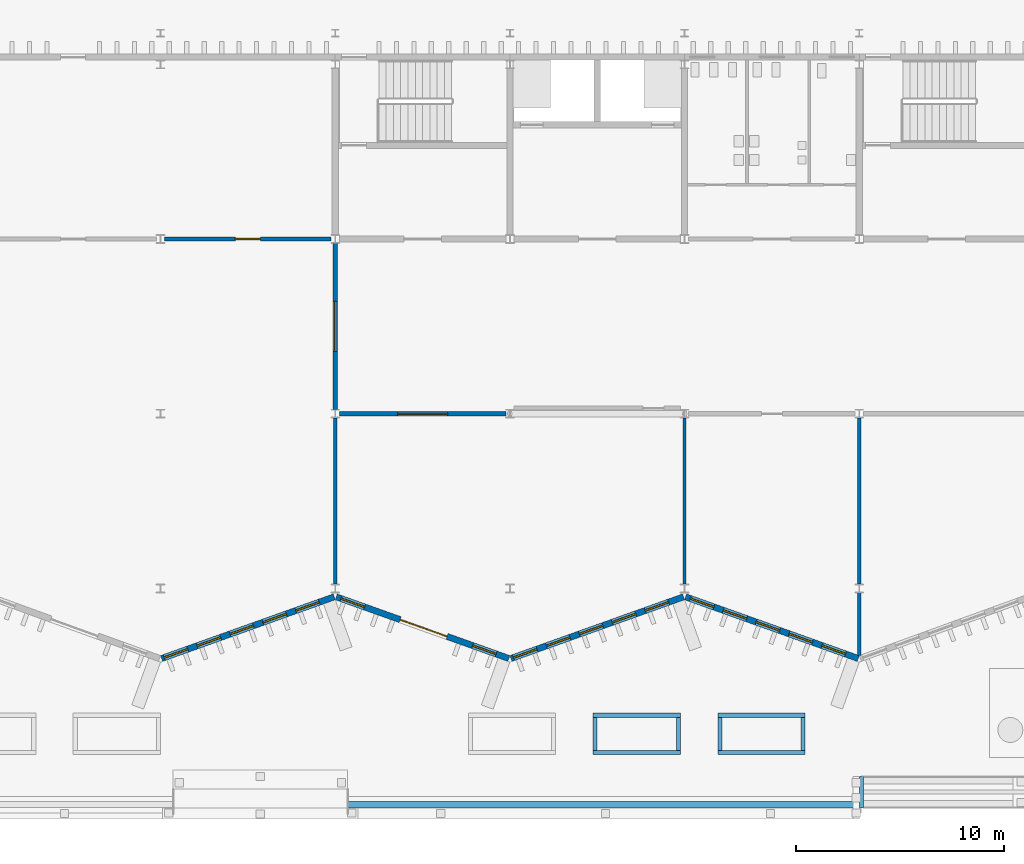
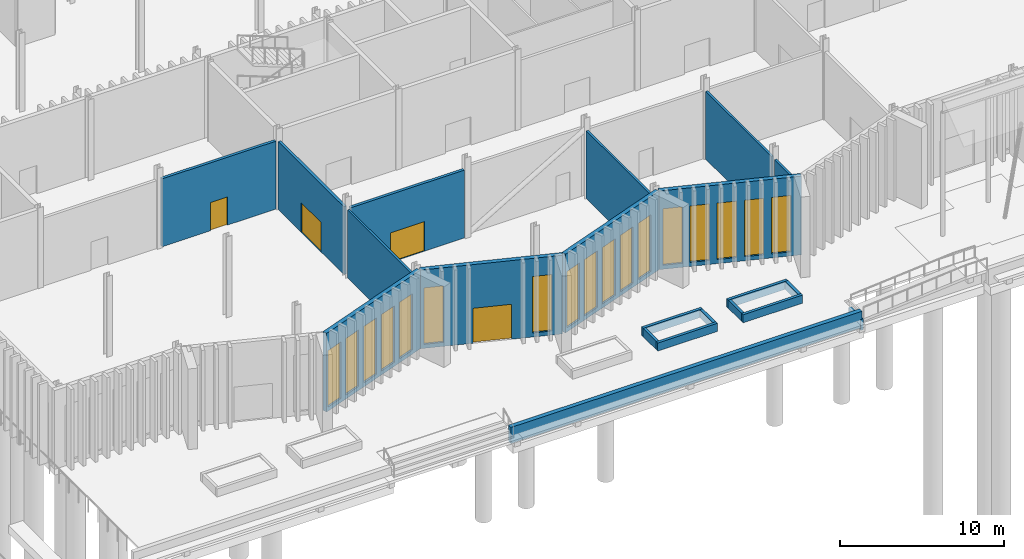
# One storey, part 54 of 108: 21 walls, 17 windows, 4 doors, 21 openings.
"""IFC4 building model written with IfcOpenShell, lengths in metres."""

import ifcopenshell
import ifcopenshell.guid

model = None  # the IFC model being written
_history = None  # IfcOwnerHistory: only IFC2X3 demands one
_inside = {}  # id of a spatial element -> (the spatial element, [elements in it])
_under = {}  # id of a project, library or spatial element -> (it, [spatial elements below it])
_declared = {}  # id of a project -> (the project, [libraries it declares])
_typed = {}  # id of a type object -> (the type object, [elements of that type])
_made_of = {}  # id of a material, layer set ... -> (it, [elements and type objects made of it])


def new_model(schema):
    """Start an empty IFC model of exactly this schema.

    Asked for "IFC4X3", IfcOpenShell would pick the latest addendum, in which some entities
    have other attributes; the version numbers below select the first issue.
    IFC2X3 requires an IfcOwnerHistory on every rooted entity: one is made here for all.
    """
    global model, _history
    if schema == "IFC4X3":
        model = ifcopenshell.file(schema_version=(4, 3, 0, 0))
    else:
        model = ifcopenshell.file(schema=schema)
    _inside.clear()
    _under.clear()
    _declared.clear()
    _typed.clear()
    _made_of.clear()
    _history = None
    if model.schema == "IFC2X3":
        org = make("IfcOrganization", Name="unknown")
        user = make(
            "IfcPersonAndOrganization",
            ThePerson=make("IfcPerson", FamilyName="unknown"),
            TheOrganization=org,
        )
        app = make(
            "IfcApplication",
            ApplicationDeveloper=org,
            Version="unknown",
            ApplicationFullName="unknown",
            ApplicationIdentifier="unknown",
        )
        _history = make(
            "IfcOwnerHistory",
            OwningUser=user,
            OwningApplication=app,
            ChangeAction="ADDED",
            CreationDate=0,
        )
    return model


def make(cls, **values):
    """One entity of the class cls with the attributes given. An attribute that is None is left unset."""
    return model.create_entity(
        cls, **{name: value for name, value in values.items() if value is not None}
    )


def rooted(cls, **values):
    """An entity with a GlobalId (a new one), such as an element, a storey or a relation."""
    return make(cls, GlobalId=ifcopenshell.guid.new(), OwnerHistory=_history, **values)


def si_unit(unit_type, name, prefix=None):
    """IfcSIUnit, for example si_unit("LENGTHUNIT", "METRE", prefix="MILLI")."""
    return make("IfcSIUnit", UnitType=unit_type, Prefix=prefix, Name=name)


def assignment(units):
    """IfcUnitAssignment: the units of a project."""
    return None if units is None else make("IfcUnitAssignment", Units=units)


def point(xyz):
    """IfcCartesianPoint."""
    return None if xyz is None else make("IfcCartesianPoint", Coordinates=xyz)


def direction(xyz):
    """IfcDirection."""
    return None if xyz is None else make("IfcDirection", DirectionRatios=xyz)


def frame(location, z_axis=None, x_axis=None):
    """IfcAxis2Placement3D, a coordinate frame: its origin and axes. An axis left out is left unset."""
    return make(
        "IfcAxis2Placement3D",
        Location=point(location),
        Axis=direction(z_axis),
        RefDirection=direction(x_axis),
    )


def frame_2d(location, x_axis=None):
    """IfcAxis2Placement2D, a coordinate frame in the plane: its origin and x axis."""
    return make(
        "IfcAxis2Placement2D", Location=point(location), RefDirection=direction(x_axis)
    )


def origin():
    """The frame at (0, 0, 0) with its axes left unset."""
    return frame((0.0, 0.0, 0.0))


def place(relative_to, where):
    """IfcLocalPlacement: puts the frame where relative to a parent placement (None: the world)."""
    return make(
        "IfcLocalPlacement", PlacementRelTo=relative_to, RelativePlacement=where
    )


def context(
    kind, dimensions, precision=None, world=None, true_north=None, identifier=None
):
    """IfcGeometricRepresentationContext, for example the 3D "Model" context."""
    return make(
        "IfcGeometricRepresentationContext",
        ContextIdentifier=identifier,
        ContextType=kind,
        CoordinateSpaceDimension=dimensions,
        Precision=precision,
        WorldCoordinateSystem=world,
        TrueNorth=true_north,
    )


def subcontext(parent, identifier, kind, view, scale=None):
    """IfcGeometricRepresentationSubContext, for example "Body" below "Model"."""
    return make(
        "IfcGeometricRepresentationSubContext",
        ContextIdentifier=identifier,
        ContextType=kind,
        ParentContext=parent,
        TargetScale=scale,
        TargetView=view,
    )


def project(units=None, contexts=None):
    """IfcProject with its units and contexts."""
    return rooted(
        "IfcProject",
        Name="project",
        RepresentationContexts=contexts,
        UnitsInContext=assignment(units),
    )


def spatial(cls, under=None, at=None, **own):
    """A site, building, storey or space (cls), placed at a placement, below another one or the project."""
    s = rooted(cls, ObjectPlacement=at, **own)
    if under is not None:
        _under.setdefault(under.id(), (under, []))[1].append(s)
    return s


def profile(cls, at=None, kind="AREA", **sizes):
    """A parametric profile (cls). Its sizes go by their IFC names, for example OverallWidth=200.0."""
    return make(cls, ProfileType=kind, Position=at, **sizes)


def rectangle(**sizes):
    """IfcRectangleProfileDef."""
    return profile("IfcRectangleProfileDef", **sizes)


def extrude(swept, where, along, depth):
    """IfcExtrudedAreaSolid: the profile swept, set in the frame where, extruded along a direction by depth."""
    return make(
        "IfcExtrudedAreaSolid",
        SweptArea=swept,
        Position=where,
        ExtrudedDirection=direction(along),
        Depth=depth,
    )


def shape(context_of_items, identifier, shape_type, items):
    """IfcShapeRepresentation: the items that make up one representation, for example the "Body"."""
    return make(
        "IfcShapeRepresentation",
        ContextOfItems=context_of_items,
        RepresentationIdentifier=identifier,
        RepresentationType=shape_type,
        Items=items,
    )


def material(Name=None, Category=None):
    """IfcMaterial."""
    return make("IfcMaterial", Name=Name, Category=Category)


def layer(
    of_material, thickness, ventilated=None, Name=None, Category=None, Priority=None
):
    """IfcMaterialLayer: one layer of a wall or slab, of a material (None: an air gap)."""
    return make(
        "IfcMaterialLayer",
        Material=of_material,
        LayerThickness=thickness,
        IsVentilated=ventilated,
        Name=Name,
        Category=Category,
        Priority=Priority,
    )


def layer_set(layers, Name=None):
    """IfcMaterialLayerSet."""
    return make("IfcMaterialLayerSet", MaterialLayers=layers, LayerSetName=Name)


def made_of(thing, what):
    """Note that an element or type object is made of a material, layer set ...; save() writes the relation."""
    if what is not None:
        _made_of.setdefault(what.id(), (what, []))[1].append(thing)
    return thing


def type_object(cls, material=None, **own):
    """A type object (cls), such as IfcWallType, which elements share."""
    return made_of(rooted(cls, **own), material)


def element(
    cls,
    number,
    at=None,
    inside=None,
    cuts=None,
    type_object=None,
    material=None,
    context=None,
    identifier="Body",
    shape_type=None,
    held_by="IfcProductDefinitionShape",
    body=None,
    shapes=None,
    **own,
):
    """One element of the class cls, such as IfcWall. Its Tag is "e" and its number.

    at: its placement. inside: the storey or other place that contains it. cuts: it is an
    opening in that element (IfcRelVoidsElement). A single representation is given by context,
    identifier, shape_type and body (its items); several are given by shapes. held_by: the class
    of the entity that holds the representations. save() writes the other relations.
    """
    e = rooted(cls, Tag="e%d" % number, ObjectPlacement=at, **own)
    if body is not None:
        shapes = [shape(context, identifier, shape_type, body)]
    if shapes is not None:
        e.Representation = make(held_by, Representations=shapes)
    if inside is not None:
        _inside.setdefault(inside.id(), (inside, []))[1].append(e)
    if cuts is not None:
        rooted(
            "IfcRelVoidsElement", RelatingBuildingElement=cuts, RelatedOpeningElement=e
        )
    if type_object is not None:
        _typed.setdefault(type_object.id(), (type_object, []))[1].append(e)
    return made_of(e, material)


def fill(opening, filler):
    """IfcRelFillsElement: the door or window that sits in an opening."""
    return rooted(
        "IfcRelFillsElement",
        RelatingOpeningElement=opening,
        RelatedBuildingElement=filler,
    )


def aggregate(whole, parts):
    """IfcRelAggregates: a whole, such as a stair, and the parts it consists of."""
    return rooted("IfcRelAggregates", RelatingObject=whole, RelatedObjects=parts)


def save(model, path):
    """Write the relations noted so far, then the file.

    IfcRelAggregates (storeys below a building ...), IfcRelContainedInSpatialStructure (elements
    in a storey), IfcRelDefinesByType, IfcRelAssociatesMaterial and IfcRelDeclares: one each for
    every whole, place, type object, material and project.
    """
    for whole, parts in _under.values():
        aggregate(whole, parts)
    for where, things in _inside.values():
        rooted(
            "IfcRelContainedInSpatialStructure",
            RelatedElements=things,
            RelatingStructure=where,
        )
    for kind, things in _typed.values():
        rooted("IfcRelDefinesByType", RelatedObjects=things, RelatingType=kind)
    for what, things in _made_of.values():
        rooted("IfcRelAssociatesMaterial", RelatedObjects=things, RelatingMaterial=what)
    for by, libraries in _declared.values():
        rooted("IfcRelDeclares", RelatingContext=by, RelatedDefinitions=libraries)
    model.write(path)


model = new_model("IFC4")

# Units and contexts
model_context = context("Model", 3, precision=1e-05, world=origin(), true_north=direction((0.0, 1.0)))
body_context = subcontext(model_context, "Body", "Model", "MODEL_VIEW")
ifc_project = project(units=[si_unit("LENGTHUNIT", "METRE"), si_unit("AREAUNIT", "SQUARE_METRE"), si_unit("VOLUMEUNIT", "CUBIC_METRE"), si_unit("PLANEANGLEUNIT", "RADIAN"), si_unit("MASSUNIT", "GRAM", prefix="KILO")], contexts=[model_context])

# Site, building, storey
site_placement = place(None, origin())
site = spatial("IfcSite", under=ifc_project, at=site_placement, CompositionType="ELEMENT")
building_placement = place(site_placement, origin())
building = spatial("IfcBuilding", under=site, at=building_placement, Name="Cresset Court Congress Hotel", CompositionType="ELEMENT")
storey_placement = place(building_placement, origin())
storey = spatial("IfcBuildingStorey", under=building, at=storey_placement, Name="L00", CompositionType="ELEMENT", Elevation=0.0)

# Wall, openings, windows
ifc_material_1 = material(Name="Concrete C40", Category="concrete")
ifc_layer_1 = layer(ifc_material_1, 0.300048828125)
ifc_layer_set_1 = layer_set([ifc_layer_1], Name="External wall 300 Concrete C40")
wall_type_1 = type_object("IfcWallType", Name="External wall 300 Concrete C40", PredefinedType="SOLIDWALL", material=ifc_layer_set_1)
wall_1_placement = place(storey_placement, frame((25.251220703125, -3.372314453125, 0.0), z_axis=(0.0, 0.0, 1.0), x_axis=(0.941744418946, 0.336329376334, 0.0)))
wall_1 = element("IfcWall", 1, at=wall_1_placement, inside=storey, type_object=wall_type_1, Name="External wall", PredefinedType="SOLIDWALL", context=body_context, shape_type="SweptSolid", body=[
    extrude(rectangle(XDim=8.811767578125, YDim=0.300048828125, at=frame_2d((4.40576171875, 0.0))), origin(), (0.0, 0.0, 1.0), 5.85009765625),
])
opening_1_placement = place(wall_1_placement, frame((0.132080078125, 0.0, 0.300048828125)))
opening_1 = element("IfcOpeningElement", 2, at=opening_1_placement, cuts=wall_1, Name="Opening NB-00-32", PredefinedType="OPENING", context=body_context, shape_type="SweptSolid", body=[
    extrude(rectangle(XDim=1.199951171875, YDim=4.199951171875, at=frame_2d((0.60009765625, 2.10009765625))), frame((0.0, 0.159912109375, 0.0), z_axis=(0.0, -1.0, 0.0), x_axis=(1.0, 0.0, 0.0)), (0.0, 0.0, 1.0), 0.320068359375),
])
opening_2_placement = place(wall_1_placement, frame((1.81201171875, 0.0, 0.300048828125)))
opening_2 = element("IfcOpeningElement", 3, at=opening_2_placement, cuts=wall_1, Name="Opening NB-00-33", PredefinedType="OPENING", context=body_context, shape_type="SweptSolid", body=[
    extrude(rectangle(XDim=1.199951171875, YDim=4.199951171875, at=frame_2d((0.60009765625, 2.10009765625))), frame((0.0, 0.159912109375, 0.0), z_axis=(0.0, -1.0, 0.0), x_axis=(1.0, 0.0, 0.0)), (0.0, 0.0, 1.0), 0.320068359375),
])
opening_3_placement = place(wall_1_placement, frame((3.491943359375, 0.0, 0.300048828125)))
opening_3 = element("IfcOpeningElement", 4, at=opening_3_placement, cuts=wall_1, Name="Opening NB-00-34", PredefinedType="OPENING", context=body_context, shape_type="SweptSolid", body=[
    extrude(rectangle(XDim=1.199951171875, YDim=4.199951171875, at=frame_2d((0.60009765625, 2.10009765625))), frame((0.0, 0.159912109375, 0.0), z_axis=(0.0, -1.0, 0.0), x_axis=(1.0, 0.0, 0.0)), (0.0, 0.0, 1.0), 0.320068359375),
])
opening_4_placement = place(wall_1_placement, frame((5.172119140625, 0.0, 0.300048828125)))
opening_4 = element("IfcOpeningElement", 5, at=opening_4_placement, cuts=wall_1, Name="Opening NB-00-35", PredefinedType="OPENING", context=body_context, shape_type="SweptSolid", body=[
    extrude(rectangle(XDim=1.199951171875, YDim=4.199951171875, at=frame_2d((0.60009765625, 2.10009765625))), frame((0.0, 0.159912109375, 0.0), z_axis=(0.0, -1.0, 0.0), x_axis=(1.0, 0.0, 0.0)), (0.0, 0.0, 1.0), 0.320068359375),
])
opening_5_placement = place(wall_1_placement, frame((6.85205078125, 0.0, 0.300048828125)))
opening_5 = element("IfcOpeningElement", 6, at=opening_5_placement, cuts=wall_1, Name="Opening NB-00-36", PredefinedType="OPENING", context=body_context, shape_type="SweptSolid", body=[
    extrude(rectangle(XDim=1.199951171875, YDim=4.199951171875, at=frame_2d((0.60009765625, 2.10009765625))), frame((0.0, 0.159912109375, 0.0), z_axis=(0.0, -1.0, 0.0), x_axis=(1.0, 0.0, 0.0)), (0.0, 0.0, 1.0), 0.320068359375),
])
ifc_material_2 = material(Name="Aluminium frame with double glazing", Category="aluminium")
window_type = type_object("IfcWindowType", Name="Window 1200x4200", PartitioningType="TRIPLE_PANEL_VERTICAL", PredefinedType="WINDOW", material=ifc_material_2)
window_1_placement = place(opening_1_placement, origin())
window_1 = element("IfcWindow", 7, at=window_1_placement, inside=storey, type_object=window_type, Name="Window NB-00-32", OverallHeight=4.199951171875, OverallWidth=1.199951171875, PartitioningType="TRIPLE_PANEL_VERTICAL", PredefinedType="WINDOW", context=body_context, shape_type="SweptSolid", body=[
    extrude(rectangle(XDim=1.199951171875, YDim=4.199951171875, at=frame_2d((0.60009765625, 2.10009765625))), frame((0.0, 0.030029296875, 0.0), z_axis=(0.0, -1.0, 0.0), x_axis=(1.0, 0.0, 0.0)), (0.0, 0.0, 1.0), 0.06005859375),
])
fill(opening_1, window_1)
window_2_placement = place(opening_2_placement, origin())
window_2 = element("IfcWindow", 8, at=window_2_placement, inside=storey, type_object=window_type, Name="Window NB-00-33", OverallHeight=4.199951171875, OverallWidth=1.199951171875, PartitioningType="TRIPLE_PANEL_VERTICAL", PredefinedType="WINDOW", context=body_context, shape_type="SweptSolid", body=[
    extrude(rectangle(XDim=1.199951171875, YDim=4.199951171875, at=frame_2d((0.60009765625, 2.10009765625))), frame((0.0, 0.030029296875, 0.0), z_axis=(0.0, -1.0, 0.0), x_axis=(1.0, 0.0, 0.0)), (0.0, 0.0, 1.0), 0.06005859375),
])
fill(opening_2, window_2)
window_3_placement = place(opening_3_placement, origin())
window_3 = element("IfcWindow", 9, at=window_3_placement, inside=storey, type_object=window_type, Name="Window NB-00-34", OverallHeight=4.199951171875, OverallWidth=1.199951171875, PartitioningType="TRIPLE_PANEL_VERTICAL", PredefinedType="WINDOW", context=body_context, shape_type="SweptSolid", body=[
    extrude(rectangle(XDim=1.199951171875, YDim=4.199951171875, at=frame_2d((0.60009765625, 2.10009765625))), frame((0.0, 0.030029296875, 0.0), z_axis=(0.0, -1.0, 0.0), x_axis=(1.0, 0.0, 0.0)), (0.0, 0.0, 1.0), 0.06005859375),
])
fill(opening_3, window_3)
window_4_placement = place(opening_4_placement, origin())
window_4 = element("IfcWindow", 10, at=window_4_placement, inside=storey, type_object=window_type, Name="Window NB-00-35", OverallHeight=4.199951171875, OverallWidth=1.199951171875, PartitioningType="TRIPLE_PANEL_VERTICAL", PredefinedType="WINDOW", context=body_context, shape_type="SweptSolid", body=[
    extrude(rectangle(XDim=1.199951171875, YDim=4.199951171875, at=frame_2d((0.60009765625, 2.10009765625))), frame((0.0, 0.030029296875, 0.0), z_axis=(0.0, -1.0, 0.0), x_axis=(1.0, 0.0, 0.0)), (0.0, 0.0, 1.0), 0.06005859375),
])
fill(opening_4, window_4)
window_5_placement = place(opening_5_placement, origin())
window_5 = element("IfcWindow", 11, at=window_5_placement, inside=storey, type_object=window_type, Name="Window NB-00-36", OverallHeight=4.199951171875, OverallWidth=1.199951171875, PartitioningType="TRIPLE_PANEL_VERTICAL", PredefinedType="WINDOW", context=body_context, shape_type="SweptSolid", body=[
    extrude(rectangle(XDim=1.199951171875, YDim=4.199951171875, at=frame_2d((0.60009765625, 2.10009765625))), frame((0.0, 0.030029296875, 0.0), z_axis=(0.0, -1.0, 0.0), x_axis=(1.0, 0.0, 0.0)), (0.0, 0.0, 1.0), 0.06005859375),
])
fill(opening_5, window_5)

# Wall, openings, door, windows
wall_2_placement = place(storey_placement, frame((33.650390625, -0.40869140625, 0.0), z_axis=(0.0, 0.0, 1.0), x_axis=(0.941736270411, -0.336352191894, 0.0)))
wall_2 = element("IfcWall", 12, at=wall_2_placement, inside=storey, type_object=wall_type_1, Name="External wall", PredefinedType="SOLIDWALL", context=body_context, shape_type="SweptSolid", body=[
    extrude(rectangle(XDim=8.8125, YDim=0.300048828125, at=frame_2d((4.40625, 0.0))), origin(), (0.0, 0.0, 1.0), 5.85009765625),
])
opening_6_placement = place(wall_2_placement, frame((3.259765625, 0.0, 0.0)))
opening_6 = element("IfcOpeningElement", 13, at=opening_6_placement, cuts=wall_2, Name="Opening DB-00-05", PredefinedType="OPENING", context=body_context, shape_type="SweptSolid", body=[
    extrude(rectangle(XDim=2.39990234375, YDim=2.60009765625, at=frame_2d((1.199951171875, 1.300048828125))), frame((0.0, 0.159912109375, 0.0), z_axis=(0.0, -1.0, 0.0), x_axis=(1.0, 0.0, 0.0)), (0.0, 0.0, 1.0), 0.320068359375),
])
opening_7_placement = place(wall_2_placement, frame((0.239990234375, 0.0, 0.300048828125)))
opening_7 = element("IfcOpeningElement", 14, at=opening_7_placement, cuts=wall_2, Name="Opening NB-00-37", PredefinedType="OPENING", context=body_context, shape_type="SweptSolid", body=[
    extrude(rectangle(XDim=1.199951171875, YDim=4.199951171875, at=frame_2d((0.60009765625, 2.10009765625))), frame((0.0, 0.159912109375, 0.0), z_axis=(0.0, -1.0, 0.0), x_axis=(1.0, 0.0, 0.0)), (0.0, 0.0, 1.0), 0.320068359375),
])
opening_8_placement = place(wall_2_placement, frame((6.9599609375, 0.0, 0.300048828125)))
opening_8 = element("IfcOpeningElement", 15, at=opening_8_placement, cuts=wall_2, Name="Opening NB-00-38", PredefinedType="OPENING", context=body_context, shape_type="SweptSolid", body=[
    extrude(rectangle(XDim=1.199951171875, YDim=4.199951171875, at=frame_2d((0.60009765625, 2.10009765625))), frame((0.0, 0.159912109375, 0.0), z_axis=(0.0, -1.0, 0.0), x_axis=(1.0, 0.0, 0.0)), (0.0, 0.0, 1.0), 0.320068359375),
])
ifc_material_3 = material(Name="Aluminium frame with toughened glass", Category="aluminium")
door_type_1 = type_object("IfcDoorType", Name="Entrance door double glazed 2400x2600", OperationType="DOUBLE_DOOR_SINGLE_SWING", PredefinedType="DOOR", material=ifc_material_3)
door_1_placement = place(opening_6_placement, origin())
door_1 = element("IfcDoor", 16, at=door_1_placement, inside=storey, type_object=door_type_1, Name="Cafe entrance", OperationType="DOUBLE_DOOR_SINGLE_SWING", OverallHeight=2.60009765625, OverallWidth=2.39990234375, PredefinedType="DOOR", context=body_context, shape_type="SweptSolid", body=[
    extrude(rectangle(XDim=2.39990234375, YDim=2.60009765625, at=frame_2d((1.199951171875, 1.300048828125))), frame((0.0, 0.02490234375, 0.0), z_axis=(0.0, -1.0, 0.0), x_axis=(1.0, 0.0, 0.0)), (0.0, 0.0, 1.0), 0.050048828125),
])
fill(opening_6, door_1)
window_6_placement = place(opening_7_placement, origin())
window_6 = element("IfcWindow", 17, at=window_6_placement, inside=storey, type_object=window_type, Name="Window NB-00-37", OverallHeight=4.199951171875, OverallWidth=1.199951171875, PartitioningType="TRIPLE_PANEL_VERTICAL", PredefinedType="WINDOW", context=body_context, shape_type="SweptSolid", body=[
    extrude(rectangle(XDim=1.199951171875, YDim=4.199951171875, at=frame_2d((0.60009765625, 2.10009765625))), frame((0.0, 0.030029296875, 0.0), z_axis=(0.0, -1.0, 0.0), x_axis=(1.0, 0.0, 0.0)), (0.0, 0.0, 1.0), 0.06005859375),
])
fill(opening_7, window_6)
window_7_placement = place(opening_8_placement, origin())
window_7 = element("IfcWindow", 18, at=window_7_placement, inside=storey, type_object=window_type, Name="Window NB-00-38", OverallHeight=4.199951171875, OverallWidth=1.199951171875, PartitioningType="TRIPLE_PANEL_VERTICAL", PredefinedType="WINDOW", context=body_context, shape_type="SweptSolid", body=[
    extrude(rectangle(XDim=1.199951171875, YDim=4.199951171875, at=frame_2d((0.60009765625, 2.10009765625))), frame((0.0, 0.030029296875, 0.0), z_axis=(0.0, -1.0, 0.0), x_axis=(1.0, 0.0, 0.0)), (0.0, 0.0, 1.0), 0.06005859375),
])
fill(opening_8, window_7)

# Wall, openings, windows
wall_3_placement = place(storey_placement, frame((42.050537109375, -3.372802734375, 0.0), z_axis=(0.0, 0.0, 1.0), x_axis=(0.941736270411, 0.336352191894, 0.0)))
wall_3 = element("IfcWall", 19, at=wall_3_placement, inside=storey, type_object=wall_type_1, Name="External wall", PredefinedType="SOLIDWALL", context=body_context, shape_type="SweptSolid", body=[
    extrude(rectangle(XDim=8.8125, YDim=0.300048828125, at=frame_2d((4.40625, 0.0))), origin(), (0.0, 0.0, 1.0), 5.85009765625),
])
opening_9_placement = place(wall_3_placement, frame((0.1328125, 0.0, 0.300048828125)))
opening_9 = element("IfcOpeningElement", 20, at=opening_9_placement, cuts=wall_3, Name="Opening NB-00-39", PredefinedType="OPENING", context=body_context, shape_type="SweptSolid", body=[
    extrude(rectangle(XDim=1.199951171875, YDim=4.199951171875, at=frame_2d((0.60009765625, 2.10009765625))), frame((0.0, 0.159912109375, 0.0), z_axis=(0.0, -1.0, 0.0), x_axis=(1.0, 0.0, 0.0)), (0.0, 0.0, 1.0), 0.320068359375),
])
opening_10_placement = place(wall_3_placement, frame((1.81298828125, 0.0, 0.300048828125)))
opening_10 = element("IfcOpeningElement", 21, at=opening_10_placement, cuts=wall_3, Name="Opening NB-00-40", PredefinedType="OPENING", context=body_context, shape_type="SweptSolid", body=[
    extrude(rectangle(XDim=1.199951171875, YDim=4.199951171875, at=frame_2d((0.60009765625, 2.10009765625))), frame((0.0, 0.159912109375, 0.0), z_axis=(0.0, -1.0, 0.0), x_axis=(1.0, 0.0, 0.0)), (0.0, 0.0, 1.0), 0.320068359375),
])
opening_11_placement = place(wall_3_placement, frame((3.492919921875, 0.0, 0.300048828125)))
opening_11 = element("IfcOpeningElement", 22, at=opening_11_placement, cuts=wall_3, Name="Opening NB-00-41", PredefinedType="OPENING", context=body_context, shape_type="SweptSolid", body=[
    extrude(rectangle(XDim=1.199951171875, YDim=4.199951171875, at=frame_2d((0.60009765625, 2.10009765625))), frame((0.0, 0.159912109375, 0.0), z_axis=(0.0, -1.0, 0.0), x_axis=(1.0, 0.0, 0.0)), (0.0, 0.0, 1.0), 0.320068359375),
])
opening_12_placement = place(wall_3_placement, frame((5.1728515625, 0.0, 0.300048828125)))
opening_12 = element("IfcOpeningElement", 23, at=opening_12_placement, cuts=wall_3, Name="Opening NB-00-42", PredefinedType="OPENING", context=body_context, shape_type="SweptSolid", body=[
    extrude(rectangle(XDim=1.199951171875, YDim=4.199951171875, at=frame_2d((0.60009765625, 2.10009765625))), frame((0.0, 0.159912109375, 0.0), z_axis=(0.0, -1.0, 0.0), x_axis=(1.0, 0.0, 0.0)), (0.0, 0.0, 1.0), 0.320068359375),
])
opening_13_placement = place(wall_3_placement, frame((6.852783203125, 0.0, 0.300048828125)))
opening_13 = element("IfcOpeningElement", 24, at=opening_13_placement, cuts=wall_3, Name="Opening NB-00-43", PredefinedType="OPENING", context=body_context, shape_type="SweptSolid", body=[
    extrude(rectangle(XDim=1.199951171875, YDim=4.199951171875, at=frame_2d((0.60009765625, 2.10009765625))), frame((0.0, 0.159912109375, 0.0), z_axis=(0.0, -1.0, 0.0), x_axis=(1.0, 0.0, 0.0)), (0.0, 0.0, 1.0), 0.320068359375),
])
window_8_placement = place(opening_9_placement, origin())
window_8 = element("IfcWindow", 25, at=window_8_placement, inside=storey, type_object=window_type, Name="Window NB-00-39", OverallHeight=4.199951171875, OverallWidth=1.199951171875, PartitioningType="TRIPLE_PANEL_VERTICAL", PredefinedType="WINDOW", context=body_context, shape_type="SweptSolid", body=[
    extrude(rectangle(XDim=1.199951171875, YDim=4.199951171875, at=frame_2d((0.60009765625, 2.10009765625))), frame((0.0, 0.030029296875, 0.0), z_axis=(0.0, -1.0, 0.0), x_axis=(1.0, 0.0, 0.0)), (0.0, 0.0, 1.0), 0.06005859375),
])
fill(opening_9, window_8)
window_9_placement = place(opening_10_placement, origin())
window_9 = element("IfcWindow", 26, at=window_9_placement, inside=storey, type_object=window_type, Name="Window NB-00-40", OverallHeight=4.199951171875, OverallWidth=1.199951171875, PartitioningType="TRIPLE_PANEL_VERTICAL", PredefinedType="WINDOW", context=body_context, shape_type="SweptSolid", body=[
    extrude(rectangle(XDim=1.199951171875, YDim=4.199951171875, at=frame_2d((0.60009765625, 2.10009765625))), frame((0.0, 0.030029296875, 0.0), z_axis=(0.0, -1.0, 0.0), x_axis=(1.0, 0.0, 0.0)), (0.0, 0.0, 1.0), 0.06005859375),
])
fill(opening_10, window_9)
window_10_placement = place(opening_11_placement, origin())
window_10 = element("IfcWindow", 27, at=window_10_placement, inside=storey, type_object=window_type, Name="Window NB-00-41", OverallHeight=4.199951171875, OverallWidth=1.199951171875, PartitioningType="TRIPLE_PANEL_VERTICAL", PredefinedType="WINDOW", context=body_context, shape_type="SweptSolid", body=[
    extrude(rectangle(XDim=1.199951171875, YDim=4.199951171875, at=frame_2d((0.60009765625, 2.10009765625))), frame((0.0, 0.030029296875, 0.0), z_axis=(0.0, -1.0, 0.0), x_axis=(1.0, 0.0, 0.0)), (0.0, 0.0, 1.0), 0.06005859375),
])
fill(opening_11, window_10)
window_11_placement = place(opening_12_placement, origin())
window_11 = element("IfcWindow", 28, at=window_11_placement, inside=storey, type_object=window_type, Name="Window NB-00-42", OverallHeight=4.199951171875, OverallWidth=1.199951171875, PartitioningType="TRIPLE_PANEL_VERTICAL", PredefinedType="WINDOW", context=body_context, shape_type="SweptSolid", body=[
    extrude(rectangle(XDim=1.199951171875, YDim=4.199951171875, at=frame_2d((0.60009765625, 2.10009765625))), frame((0.0, 0.030029296875, 0.0), z_axis=(0.0, -1.0, 0.0), x_axis=(1.0, 0.0, 0.0)), (0.0, 0.0, 1.0), 0.06005859375),
])
fill(opening_12, window_11)
window_12_placement = place(opening_13_placement, origin())
window_12 = element("IfcWindow", 29, at=window_12_placement, inside=storey, type_object=window_type, Name="Window NB-00-43", OverallHeight=4.199951171875, OverallWidth=1.199951171875, PartitioningType="TRIPLE_PANEL_VERTICAL", PredefinedType="WINDOW", context=body_context, shape_type="SweptSolid", body=[
    extrude(rectangle(XDim=1.199951171875, YDim=4.199951171875, at=frame_2d((0.60009765625, 2.10009765625))), frame((0.0, 0.030029296875, 0.0), z_axis=(0.0, -1.0, 0.0), x_axis=(1.0, 0.0, 0.0)), (0.0, 0.0, 1.0), 0.06005859375),
])
fill(opening_13, window_12)

wall_4_placement = place(storey_placement, frame((50.450439453125, -0.40869140625, 0.0), z_axis=(0.0, 0.0, 1.0), x_axis=(0.941744418946, -0.336329376334, 0.0)))
wall_4 = element("IfcWall", 30, at=wall_4_placement, inside=storey, type_object=wall_type_1, Name="External wall", PredefinedType="SOLIDWALL", context=body_context, shape_type="SweptSolid", body=[
    extrude(rectangle(XDim=8.811767578125, YDim=0.300048828125, at=frame_2d((4.40576171875, 0.0))), origin(), (0.0, 0.0, 1.0), 5.85009765625),
])
opening_14_placement = place(wall_4_placement, frame((0.239990234375, 0.0, 0.300048828125)))
opening_14 = element("IfcOpeningElement", 31, at=opening_14_placement, cuts=wall_4, Name="Opening NB-00-44", PredefinedType="OPENING", context=body_context, shape_type="SweptSolid", body=[
    extrude(rectangle(XDim=1.199951171875, YDim=4.199951171875, at=frame_2d((0.60009765625, 2.10009765625))), frame((0.0, 0.159912109375, 0.0), z_axis=(0.0, -1.0, 0.0), x_axis=(1.0, 0.0, 0.0)), (0.0, 0.0, 1.0), 0.320068359375),
])
opening_15_placement = place(wall_4_placement, frame((1.919921875, 0.0, 0.300048828125)))
opening_15 = element("IfcOpeningElement", 32, at=opening_15_placement, cuts=wall_4, Name="Opening NB-00-45", PredefinedType="OPENING", context=body_context, shape_type="SweptSolid", body=[
    extrude(rectangle(XDim=1.199951171875, YDim=4.199951171875, at=frame_2d((0.60009765625, 2.10009765625))), frame((0.0, 0.159912109375, 0.0), z_axis=(0.0, -1.0, 0.0), x_axis=(1.0, 0.0, 0.0)), (0.0, 0.0, 1.0), 0.320068359375),
])
opening_16_placement = place(wall_4_placement, frame((3.60009765625, 0.0, 0.300048828125)))
opening_16 = element("IfcOpeningElement", 33, at=opening_16_placement, cuts=wall_4, Name="Opening NB-00-46", PredefinedType="OPENING", context=body_context, shape_type="SweptSolid", body=[
    extrude(rectangle(XDim=1.199951171875, YDim=4.199951171875, at=frame_2d((0.60009765625, 2.10009765625))), frame((0.0, 0.159912109375, 0.0), z_axis=(0.0, -1.0, 0.0), x_axis=(1.0, 0.0, 0.0)), (0.0, 0.0, 1.0), 0.320068359375),
])
opening_17_placement = place(wall_4_placement, frame((5.280029296875, 0.0, 0.300048828125)))
opening_17 = element("IfcOpeningElement", 34, at=opening_17_placement, cuts=wall_4, Name="Opening NB-00-47", PredefinedType="OPENING", context=body_context, shape_type="SweptSolid", body=[
    extrude(rectangle(XDim=1.199951171875, YDim=4.199951171875, at=frame_2d((0.60009765625, 2.10009765625))), frame((0.0, 0.159912109375, 0.0), z_axis=(0.0, -1.0, 0.0), x_axis=(1.0, 0.0, 0.0)), (0.0, 0.0, 1.0), 0.320068359375),
])
opening_18_placement = place(wall_4_placement, frame((6.9599609375, 0.0, 0.300048828125)))
opening_18 = element("IfcOpeningElement", 35, at=opening_18_placement, cuts=wall_4, Name="Opening NB-00-48", PredefinedType="OPENING", context=body_context, shape_type="SweptSolid", body=[
    extrude(rectangle(XDim=1.199951171875, YDim=4.199951171875, at=frame_2d((0.60009765625, 2.10009765625))), frame((0.0, 0.159912109375, 0.0), z_axis=(0.0, -1.0, 0.0), x_axis=(1.0, 0.0, 0.0)), (0.0, 0.0, 1.0), 0.320068359375),
])
window_13_placement = place(opening_14_placement, origin())
window_13 = element("IfcWindow", 36, at=window_13_placement, inside=storey, type_object=window_type, Name="Window NB-00-44", OverallHeight=4.199951171875, OverallWidth=1.199951171875, PartitioningType="TRIPLE_PANEL_VERTICAL", PredefinedType="WINDOW", context=body_context, shape_type="SweptSolid", body=[
    extrude(rectangle(XDim=1.199951171875, YDim=4.199951171875, at=frame_2d((0.60009765625, 2.10009765625))), frame((0.0, 0.030029296875, 0.0), z_axis=(0.0, -1.0, 0.0), x_axis=(1.0, 0.0, 0.0)), (0.0, 0.0, 1.0), 0.06005859375),
])
fill(opening_14, window_13)
window_14_placement = place(opening_15_placement, origin())
window_14 = element("IfcWindow", 37, at=window_14_placement, inside=storey, type_object=window_type, Name="Window NB-00-45", OverallHeight=4.199951171875, OverallWidth=1.199951171875, PartitioningType="TRIPLE_PANEL_VERTICAL", PredefinedType="WINDOW", context=body_context, shape_type="SweptSolid", body=[
    extrude(rectangle(XDim=1.199951171875, YDim=4.199951171875, at=frame_2d((0.60009765625, 2.10009765625))), frame((0.0, 0.030029296875, 0.0), z_axis=(0.0, -1.0, 0.0), x_axis=(1.0, 0.0, 0.0)), (0.0, 0.0, 1.0), 0.06005859375),
])
fill(opening_15, window_14)
window_15_placement = place(opening_16_placement, origin())
window_15 = element("IfcWindow", 38, at=window_15_placement, inside=storey, type_object=window_type, Name="Window NB-00-46", OverallHeight=4.199951171875, OverallWidth=1.199951171875, PartitioningType="TRIPLE_PANEL_VERTICAL", PredefinedType="WINDOW", context=body_context, shape_type="SweptSolid", body=[
    extrude(rectangle(XDim=1.199951171875, YDim=4.199951171875, at=frame_2d((0.60009765625, 2.10009765625))), frame((0.0, 0.030029296875, 0.0), z_axis=(0.0, -1.0, 0.0), x_axis=(1.0, 0.0, 0.0)), (0.0, 0.0, 1.0), 0.06005859375),
])
fill(opening_16, window_15)
window_16_placement = place(opening_17_placement, origin())
window_16 = element("IfcWindow", 39, at=window_16_placement, inside=storey, type_object=window_type, Name="Window NB-00-47", OverallHeight=4.199951171875, OverallWidth=1.199951171875, PartitioningType="TRIPLE_PANEL_VERTICAL", PredefinedType="WINDOW", context=body_context, shape_type="SweptSolid", body=[
    extrude(rectangle(XDim=1.199951171875, YDim=4.199951171875, at=frame_2d((0.60009765625, 2.10009765625))), frame((0.0, 0.030029296875, 0.0), z_axis=(0.0, -1.0, 0.0), x_axis=(1.0, 0.0, 0.0)), (0.0, 0.0, 1.0), 0.06005859375),
])
fill(opening_17, window_16)
window_17_placement = place(opening_18_placement, origin())
window_17 = element("IfcWindow", 40, at=window_17_placement, inside=storey, type_object=window_type, Name="Window NB-00-48", OverallHeight=4.199951171875, OverallWidth=1.199951171875, PartitioningType="TRIPLE_PANEL_VERTICAL", PredefinedType="WINDOW", context=body_context, shape_type="SweptSolid", body=[
    extrude(rectangle(XDim=1.199951171875, YDim=4.199951171875, at=frame_2d((0.60009765625, 2.10009765625))), frame((0.0, 0.030029296875, 0.0), z_axis=(0.0, -1.0, 0.0), x_axis=(1.0, 0.0, 0.0)), (0.0, 0.0, 1.0), 0.06005859375),
])
fill(opening_18, window_17)

# Wall, opening, door
ifc_material_4 = material(Name="Gypsum board on steel studs", Category="steel")
ifc_layer_2 = layer(ifc_material_4, 0.199951171875)
ifc_layer_set_2 = layer_set([ifc_layer_2], Name="Foyer wall 200")
wall_type_2 = type_object("IfcWallType", Name="Foyer wall 200", PredefinedType="PARTITIONING", material=ifc_layer_set_2)
wall_5_placement = place(storey_placement, frame((33.800048828125, 8.39990234375, 0.0), z_axis=(0.0, 0.0, 1.0), x_axis=(1.0, 0.0, 0.0)))
wall_5 = element("IfcWall", 41, at=wall_5_placement, inside=storey, type_object=wall_type_2, Name="Foyer wall", PredefinedType="PARTITIONING", context=body_context, shape_type="SweptSolid", body=[
    extrude(rectangle(XDim=8.0, YDim=0.199951171875, at=frame_2d((4.0, 0.0))), origin(), (0.0, 0.0, 1.0), 5.050048828125),
])
opening_19_placement = place(wall_5_placement, frame((2.800048828125, 0.0, 0.0)))
opening_19 = element("IfcOpeningElement", 42, at=opening_19_placement, cuts=wall_5, Name="Opening DB-00-16", PredefinedType="OPENING", context=body_context, shape_type="SweptSolid", body=[
    extrude(rectangle(XDim=2.39990234375, YDim=2.199951171875, at=frame_2d((1.199951171875, 1.10009765625))), frame((0.0, 0.10986328125, 0.0), z_axis=(0.0, -1.0, 0.0), x_axis=(1.0, 0.0, 0.0)), (0.0, 0.0, 1.0), 0.219970703125),
])
ifc_material_5 = material(Name="Timber and steel frame", Category="steel")
door_type_2 = type_object("IfcDoorType", Name="Fire door FD30 double 2400x2200", OperationType="DOUBLE_DOOR_SINGLE_SWING", PredefinedType="DOOR", material=ifc_material_5)
door_2_placement = place(opening_19_placement, origin())
door_2 = element("IfcDoor", 43, at=door_2_placement, inside=storey, type_object=door_type_2, Name="Cafe door", OperationType="DOUBLE_DOOR_SINGLE_SWING", OverallHeight=2.199951171875, OverallWidth=2.39990234375, PredefinedType="DOOR", context=body_context, shape_type="SweptSolid", body=[
    extrude(rectangle(XDim=2.39990234375, YDim=2.199951171875, at=frame_2d((1.199951171875, 1.10009765625))), frame((0.0, 0.02490234375, 0.0), z_axis=(0.0, -1.0, 0.0), x_axis=(1.0, 0.0, 0.0)), (0.0, 0.0, 1.0), 0.050048828125),
])
fill(opening_19, door_2)

wall_6_placement = place(storey_placement, frame((33.60009765625, 8.60009765625, 0.0), z_axis=(0.0, 0.0, 1.0), x_axis=(0.0, 1.0, 0.0)))
wall_6 = element("IfcWall", 44, at=wall_6_placement, inside=storey, type_object=wall_type_2, Name="Foyer wall", PredefinedType="PARTITIONING", context=body_context, shape_type="SweptSolid", body=[
    extrude(rectangle(XDim=8.0, YDim=0.199951171875, at=frame_2d((4.0, 0.0))), origin(), (0.0, 0.0, 1.0), 5.050048828125),
])
opening_20_placement = place(wall_6_placement, frame((2.800048828125, 0.0, 0.0)))
opening_20 = element("IfcOpeningElement", 45, at=opening_20_placement, cuts=wall_6, Name="Opening DB-00-43", PredefinedType="OPENING", context=body_context, shape_type="SweptSolid", body=[
    extrude(rectangle(XDim=2.39990234375, YDim=2.199951171875, at=frame_2d((1.199951171875, 1.10009765625))), frame((0.0, 0.10986328125, 0.0), z_axis=(0.0, -1.0, 0.0), x_axis=(1.0, 0.0, 0.0)), (0.0, 0.0, 1.0), 0.219970703125),
])
door_3_placement = place(opening_20_placement, origin())
door_3 = element("IfcDoor", 46, at=door_3_placement, inside=storey, type_object=door_type_2, Name="Restaurant door", OperationType="DOUBLE_DOOR_SINGLE_SWING", OverallHeight=2.199951171875, OverallWidth=2.39990234375, PredefinedType="DOOR", context=body_context, shape_type="SweptSolid", body=[
    extrude(rectangle(XDim=2.39990234375, YDim=2.199951171875, at=frame_2d((1.199951171875, 1.10009765625))), frame((0.0, 0.02490234375, 0.0), z_axis=(0.0, -1.0, 0.0), x_axis=(1.0, 0.0, 0.0)), (0.0, 0.0, 1.0), 0.050048828125),
])
fill(opening_20, door_3)

ifc_material_6 = material(Name="Blockwork with tiled face", Category="masonry")
ifc_layer_3 = layer(ifc_material_6, 0.199951171875)
ifc_layer_set_3 = layer_set([ifc_layer_3], Name="Kitchen wall 200")
wall_type_3 = type_object("IfcWallType", Name="Kitchen wall 200", PredefinedType="PARTITIONING", material=ifc_layer_set_3)
wall_7_placement = place(storey_placement, frame((25.39990234375, 16.800048828125, 0.0), z_axis=(0.0, 0.0, 1.0), x_axis=(1.0, 0.0, 0.0)))
wall_7 = element("IfcWall", 47, at=wall_7_placement, inside=storey, type_object=wall_type_3, Name="Kitchen wall", PredefinedType="PARTITIONING", context=body_context, shape_type="SweptSolid", body=[
    extrude(rectangle(XDim=8.0, YDim=0.199951171875, at=frame_2d((4.0, 0.0))), origin(), (0.0, 0.0, 1.0), 5.050048828125),
])
opening_21_placement = place(wall_7_placement, frame((3.39990234375, 0.0, 0.0)))
opening_21 = element("IfcOpeningElement", 48, at=opening_21_placement, cuts=wall_7, Name="Opening DB-00-28", PredefinedType="OPENING", context=body_context, shape_type="SweptSolid", body=[
    extrude(rectangle(XDim=1.199951171875, YDim=2.10009765625, at=frame_2d((0.60009765625, 1.050048828125))), frame((0.0, 0.10986328125, 0.0), z_axis=(0.0, -1.0, 0.0), x_axis=(1.0, 0.0, 0.0)), (0.0, 0.0, 1.0), 0.219970703125),
])
ifc_material_7 = material(Name="Timber and steel frame", Category="steel")
door_type_3 = type_object("IfcDoorType", Name="Kitchen fire door FD60 1200x2100", OperationType="SINGLE_SWING_LEFT", PredefinedType="DOOR", material=ifc_material_7)
door_4_placement = place(opening_21_placement, origin())
door_4 = element("IfcDoor", 49, at=door_4_placement, inside=storey, type_object=door_type_3, Name="Kitchen door", OperationType="SINGLE_SWING_LEFT", OverallHeight=2.10009765625, OverallWidth=1.199951171875, PredefinedType="DOOR", context=body_context, shape_type="SweptSolid", body=[
    extrude(rectangle(XDim=1.199951171875, YDim=2.10009765625, at=frame_2d((0.60009765625, 1.050048828125))), frame((0.0, 0.02490234375, 0.0), z_axis=(0.0, -1.0, 0.0), x_axis=(1.0, 0.0, 0.0)), (0.0, 0.0, 1.0), 0.050048828125),
])
fill(opening_21, door_4)

# Walls
ifc_material_8 = material(Name="Gypsum board on steel studs", Category="steel")
ifc_layer_4 = layer(ifc_material_8, 0.14990234375)
ifc_layer_set_4 = layer_set([ifc_layer_4], Name="Partition 150")
wall_type_4 = type_object("IfcWallType", Name="Partition 150", PredefinedType="PARTITIONING", material=ifc_layer_set_4)
for number, where, z_axis, x_axis, name in (
    (50, (33.60009765625, 0.199951171875, 0.0), (0.0, 0.0, 1.0), (0.0, 1.0, 0.0), "Partition"),
    (51, (50.39990234375, 0.199951171875, 0.0), (0.0, 0.0, 1.0), (0.0, 1.0, 0.0), "Partition"),
):
    element("IfcWall", number, at=place(storey_placement, frame(where, z_axis=z_axis, x_axis=x_axis)), inside=storey, type_object=wall_type_4, Name=name, PredefinedType="PARTITIONING", context=body_context, shape_type="SweptSolid", body=[
        extrude(rectangle(XDim=8.0, YDim=0.14990234375, at=frame_2d((4.0, 0.0))), origin(), (0.0, 0.0, 1.0), 5.050048828125),
    ])
wall_8_placement = place(storey_placement, frame((58.800048828125, -3.23095703125, 0.0), z_axis=(0.0, 0.0, 1.0), x_axis=(0.0, 1.0, 0.0)))
element("IfcWall", 52, at=wall_8_placement, inside=storey, type_object=wall_type_4, Name="Partition", PredefinedType="PARTITIONING", context=body_context, shape_type="SweptSolid", body=[
    extrude(rectangle(XDim=3.031005859375, YDim=0.14990234375, at=frame_2d((1.515625, 0.0))), origin(), (0.0, 0.0, 1.0), 5.050048828125),
])
wall_9_placement = place(storey_placement, frame((58.800048828125, 0.199951171875, 0.0), z_axis=(0.0, 0.0, 1.0), x_axis=(0.0, 1.0, 0.0)))
element("IfcWall", 53, at=wall_9_placement, inside=storey, type_object=wall_type_4, Name="Partition", PredefinedType="PARTITIONING", context=body_context, shape_type="SweptSolid", body=[
    extrude(rectangle(XDim=8.0, YDim=0.14990234375, at=frame_2d((4.0, 0.0))), origin(), (0.0, 0.0, 1.0), 5.050048828125),
])
ifc_material_9 = material(Name="Concrete C35", Category="concrete")
ifc_layer_5 = layer(ifc_material_9, 0.199951171875)
ifc_layer_set_5 = layer_set([ifc_layer_5], Name="Planter wall 200")
wall_type_5 = type_object("IfcWallType", Name="Planter wall 200", PredefinedType="SOLIDWALL", material=ifc_layer_set_5)
for number, where, z_axis, x_axis, name in (
    (54, (46.0, -7.89990234375, 0.0), (0.0, 0.0, 1.0), (1.0, 0.0, 0.0), "S.planter.L00.02.S"),
    (55, (46.0, -6.10009765625, 0.0), (0.0, 0.0, 1.0), (1.0, 0.0, 0.0), "S.planter.L00.02.N"),
):
    element("IfcWall", number, at=place(storey_placement, frame(where, z_axis=z_axis, x_axis=x_axis)), inside=storey, type_object=wall_type_5, Name=name, PredefinedType="SOLIDWALL", context=body_context, shape_type="SweptSolid", body=[
        extrude(rectangle(XDim=4.199951171875, YDim=0.199951171875, at=frame_2d((2.10009765625, 0.0))), origin(), (0.0, 0.0, 1.0), 0.60009765625),
    ])
for number, where, z_axis, x_axis, name in (
    (56, (46.10009765625, -7.800048828125, 0.0), (0.0, 0.0, 1.0), (0.0, 1.0, 0.0), "S.planter.L00.02.W"),
    (57, (50.10009765625, -7.800048828125, 0.0), (0.0, 0.0, 1.0), (0.0, 1.0, 0.0), "S.planter.L00.02.E"),
):
    element("IfcWall", number, at=place(storey_placement, frame(where, z_axis=z_axis, x_axis=x_axis)), inside=storey, type_object=wall_type_5, Name=name, PredefinedType="SOLIDWALL", context=body_context, shape_type="SweptSolid", body=[
        extrude(rectangle(XDim=1.60009765625, YDim=0.199951171875, at=frame_2d((0.800048828125, 0.0))), origin(), (0.0, 0.0, 1.0), 0.60009765625),
    ])
for number, where, z_axis, x_axis, name in (
    (58, (52.0, -7.89990234375, 0.0), (0.0, 0.0, 1.0), (1.0, 0.0, 0.0), "S.planter.L00.03.S"),
    (59, (52.0, -6.10009765625, 0.0), (0.0, 0.0, 1.0), (1.0, 0.0, 0.0), "S.planter.L00.03.N"),
):
    element("IfcWall", number, at=place(storey_placement, frame(where, z_axis=z_axis, x_axis=x_axis)), inside=storey, type_object=wall_type_5, Name=name, PredefinedType="SOLIDWALL", context=body_context, shape_type="SweptSolid", body=[
        extrude(rectangle(XDim=4.199951171875, YDim=0.199951171875, at=frame_2d((2.10009765625, 0.0))), origin(), (0.0, 0.0, 1.0), 0.60009765625),
    ])
for number, where, z_axis, x_axis, name in (
    (60, (52.10009765625, -7.800048828125, 0.0), (0.0, 0.0, 1.0), (0.0, 1.0, 0.0), "S.planter.L00.03.W"),
    (61, (56.10009765625, -7.800048828125, 0.0), (0.0, 0.0, 1.0), (0.0, 1.0, 0.0), "S.planter.L00.03.E"),
):
    element("IfcWall", number, at=place(storey_placement, frame(where, z_axis=z_axis, x_axis=x_axis)), inside=storey, type_object=wall_type_5, Name=name, PredefinedType="SOLIDWALL", context=body_context, shape_type="SweptSolid", body=[
        extrude(rectangle(XDim=1.60009765625, YDim=0.199951171875, at=frame_2d((0.800048828125, 0.0))), origin(), (0.0, 0.0, 1.0), 0.60009765625),
    ])
ifc_material_10 = material(Name="Concrete C35", Category="concrete")
ifc_layer_6 = layer(ifc_material_10, 0.300048828125)
ifc_layer_set_6 = layer_set([ifc_layer_6], Name="Plinth wall 300")
wall_type_6 = type_object("IfcWallType", Name="Plinth wall 300", PredefinedType="SOLIDWALL", material=ifc_layer_set_6)
wall_10_placement = place(storey_placement, frame((34.199951171875, -10.39990234375, -1.199951171875), z_axis=(0.0, 0.0, 1.0), x_axis=(1.0, 0.0, 0.0)))
element("IfcWall", 62, at=wall_10_placement, inside=storey, type_object=wall_type_6, Name="S.wall.L00.PS02", PredefinedType="SOLIDWALL", context=body_context, shape_type="SweptSolid", body=[
    extrude(rectangle(XDim=24.699951171875, YDim=0.300048828125, at=frame_2d((12.35009765625, 0.0))), origin(), (0.0, 0.0, 1.0), 1.199951171875),
])
ifc_material_11 = material(Name="Concrete C35", Category="concrete")
ifc_layer_7 = layer(ifc_material_11, 0.199951171875)
ifc_layer_set_7 = layer_set([ifc_layer_7], Name="Ramp cheek wall 200")
wall_type_7 = type_object("IfcWallType", Name="Ramp cheek wall 200", PredefinedType="SOLIDWALL", material=ifc_layer_set_7)
wall_11_placement = place(storey_placement, frame((58.900390625, -9.050048828125, -1.39990234375), z_axis=(0.0, 0.0, 1.0), x_axis=(0.0, -1.0, 0.0)))
element("IfcWall", 63, at=wall_11_placement, inside=storey, type_object=wall_type_7, Name="Ramp toe wall S01", PredefinedType="SOLIDWALL", context=body_context, shape_type="SweptSolid", body=[
    extrude(rectangle(XDim=1.5, YDim=0.199951171875, at=frame_2d((0.75, 0.0))), origin(), (0.0, 0.0, 1.0), 0.7998046875),
])

save(model, "model.ifc")
